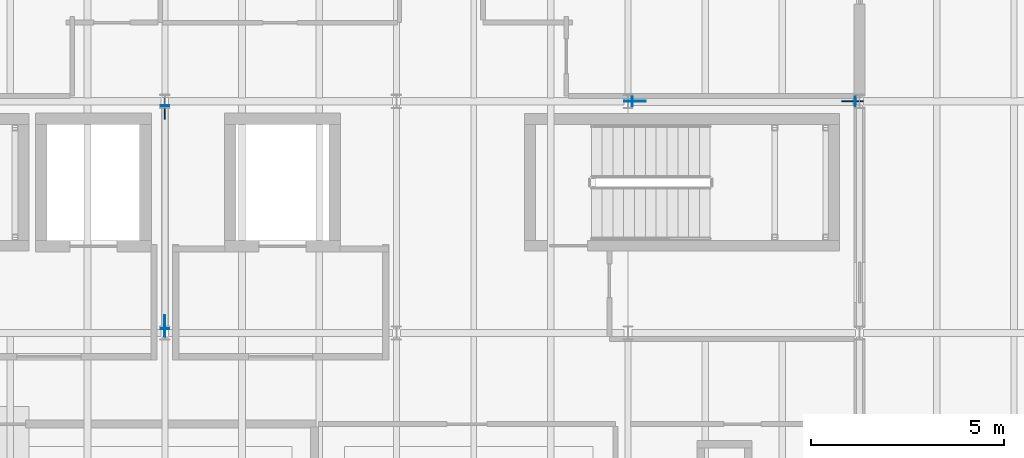
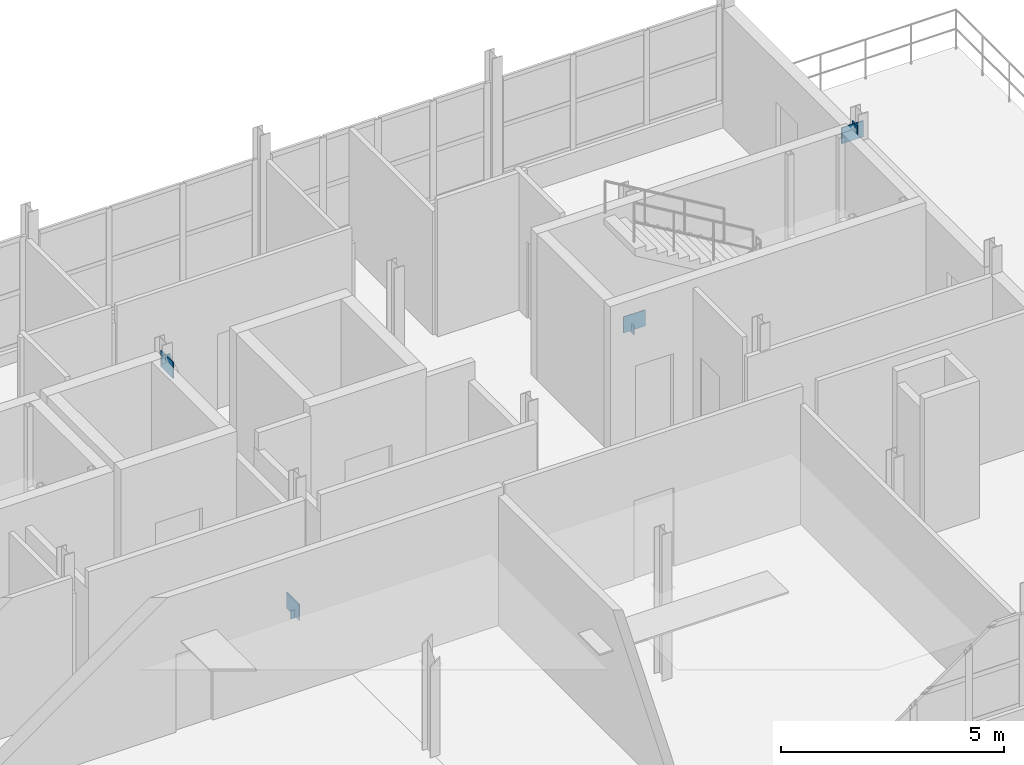
# One storey, part 16 of 23: 8 plates.
"""IFC4 building model written with IfcOpenShell, lengths in metres."""

from ifc_helpers import new_model, si_unit, direction, frame, origin, origin_2d, place, context, subcontext, project, spatial, rectangle, extrude, material, layer, layer_set, type_object, element, save


model = new_model("IFC4")

# Units and contexts
model_context = context("Model", 3, precision=1e-05, world=origin(), true_north=direction((0.0, 1.0)))
body_context = subcontext(model_context, "Body", "Model", "MODEL_VIEW")
ifc_project = project(units=[si_unit("LENGTHUNIT", "METRE"), si_unit("AREAUNIT", "SQUARE_METRE"), si_unit("VOLUMEUNIT", "CUBIC_METRE"), si_unit("PLANEANGLEUNIT", "RADIAN"), si_unit("MASSUNIT", "GRAM", prefix="KILO")], contexts=[model_context])

# Site, building, storey
site_placement = place(None, origin())
site = spatial("IfcSite", under=ifc_project, at=site_placement, CompositionType="ELEMENT")
building_placement = place(site_placement, origin())
building = spatial("IfcBuilding", under=site, at=building_placement, Name="Siltcreek Boulevard Central Fire Station", CompositionType="ELEMENT")
storey_placement = place(building_placement, frame((0.0, 0.0, 14.0)))
storey = spatial("IfcBuildingStorey", under=building, at=storey_placement, Name="L04", CompositionType="ELEMENT", Elevation=14.0)

# Plates
ifc_material = material(Name="Structural steel ASTM A572 Gr50", Category="steel")
ifc_layer_1 = layer(ifc_material, 0.02490234375, Name="Structural steel ASTM A572 Gr50")
ifc_layer_set_1 = layer_set([ifc_layer_1], Name="Structural steel ASTM A572 Gr50")
plate_type_1 = type_object("IfcPlateType", Name="PL_CAP25", PredefinedType="USERDEFINED", material=ifc_layer_set_1)
for number, where, z_axis, x_axis, name in (
    (1, (148.31103515625, 106.199951171875, -0.025390625), (0.0, 0.0, 1.0), (1.0, 0.0, 0.0), "L04 buckling-restrained brace BR-029 sealed end cap 1"),
    (2, (154.089111328125, 106.199951171875, 3.435546875), (0.0, 0.0, 1.0), (1.0, 0.0, 0.0), "L04 buckling-restrained brace BR-029 sealed end cap 2"),
):
    element("IfcPlate", number, at=place(storey_placement, frame(where, z_axis=z_axis, x_axis=x_axis)), inside=storey, type_object=plate_type_1, Name=name, ObjectType="END CAP", PredefinedType="USERDEFINED", context=body_context, shape_type="SweptSolid", body=[
        extrude(rectangle(XDim=0.02490234375, YDim=0.239990234375, at=origin_2d()), origin(), (0.0, 0.0, 1.0), 0.239990234375),
    ])
for number, where, z_axis, x_axis, name in (
    (3, (136.199951171875, 100.31103515625, -0.015625), (0.0, 0.0, 1.0), (0.0, 1.0, 0.0), "L04 buckling-restrained brace BR-035 sealed end cap 1"),
    (4, (136.199951171875, 106.089111328125, 3.4453125), (0.0, 0.0, 1.0), (0.0, 1.0, 0.0), "L04 buckling-restrained brace BR-035 sealed end cap 2"),
):
    element("IfcPlate", number, at=place(storey_placement, frame(where, z_axis=z_axis, x_axis=x_axis)), inside=storey, type_object=plate_type_1, Name=name, ObjectType="END CAP", PredefinedType="USERDEFINED", context=body_context, shape_type="SweptSolid", body=[
        extrude(rectangle(XDim=0.02490234375, YDim=0.219970703125, at=origin_2d()), origin(), (0.0, 0.0, 1.0), 0.219970703125),
    ])
ifc_layer_2 = layer(ifc_material, 0.02197265625, Name="Structural steel ASTM A572 Gr50")
ifc_layer_set_2 = layer_set([ifc_layer_2], Name="Structural steel ASTM A572 Gr50")
plate_type_2 = type_object("IfcPlateType", Name="PL_GUS22", PredefinedType="USERDEFINED", material=ifc_layer_set_2)
for number, where, z_axis, x_axis, name in (
    (5, (148.3798828125, 106.199951171875, 0.030029296875), (0.0, 0.0, 1.0), (1.0, 0.0, 0.0), "Seismic brace bot gusset plate GP-091"),
    (6, (136.199951171875, 100.3798828125, 0.030029296875), (0.0, 0.0, 1.0), (0.0, 1.0, 0.0), "Seismic brace bot gusset plate GP-103"),
):
    element("IfcPlate", number, at=place(storey_placement, frame(where, z_axis=z_axis, x_axis=x_axis)), inside=storey, type_object=plate_type_2, Name=name, ObjectType="GUSSET PLATE", PredefinedType="USERDEFINED", context=body_context, shape_type="SweptSolid", body=[
        extrude(rectangle(XDim=0.56005859375, YDim=0.02197265625, at=origin_2d()), origin(), (0.0, 0.0, 1.0), 0.43994140625),
    ])
ifc_layer_3 = layer(ifc_material, 0.028076171875, Name="Structural steel ASTM A572 Gr50")
ifc_layer_set_3 = layer_set([ifc_layer_3], Name="Structural steel ASTM A572 Gr50")
plate_type_3 = type_object("IfcPlateType", Name="PL_GUS28", PredefinedType="USERDEFINED", material=ifc_layer_set_3)
for number, where, z_axis, x_axis, name in (
    (7, (154.02001953125, 106.199951171875, 3.22998046875), (0.0, 0.0, 1.0), (1.0, 0.0, 0.0), "Seismic brace top gusset plate GP-092"),
    (8, (136.199951171875, 106.02001953125, 3.22998046875), (0.0, 0.0, 1.0), (0.0, 1.0, 0.0), "Seismic brace top gusset plate GP-104"),
):
    element("IfcPlate", number, at=place(storey_placement, frame(where, z_axis=z_axis, x_axis=x_axis)), inside=storey, type_object=plate_type_3, Name=name, ObjectType="GUSSET PLATE", PredefinedType="USERDEFINED", context=body_context, shape_type="SweptSolid", body=[
        extrude(rectangle(XDim=0.56005859375, YDim=0.028076171875, at=origin_2d()), origin(), (0.0, 0.0, 1.0), 0.43994140625),
    ])

save(model, "model.ifc")
